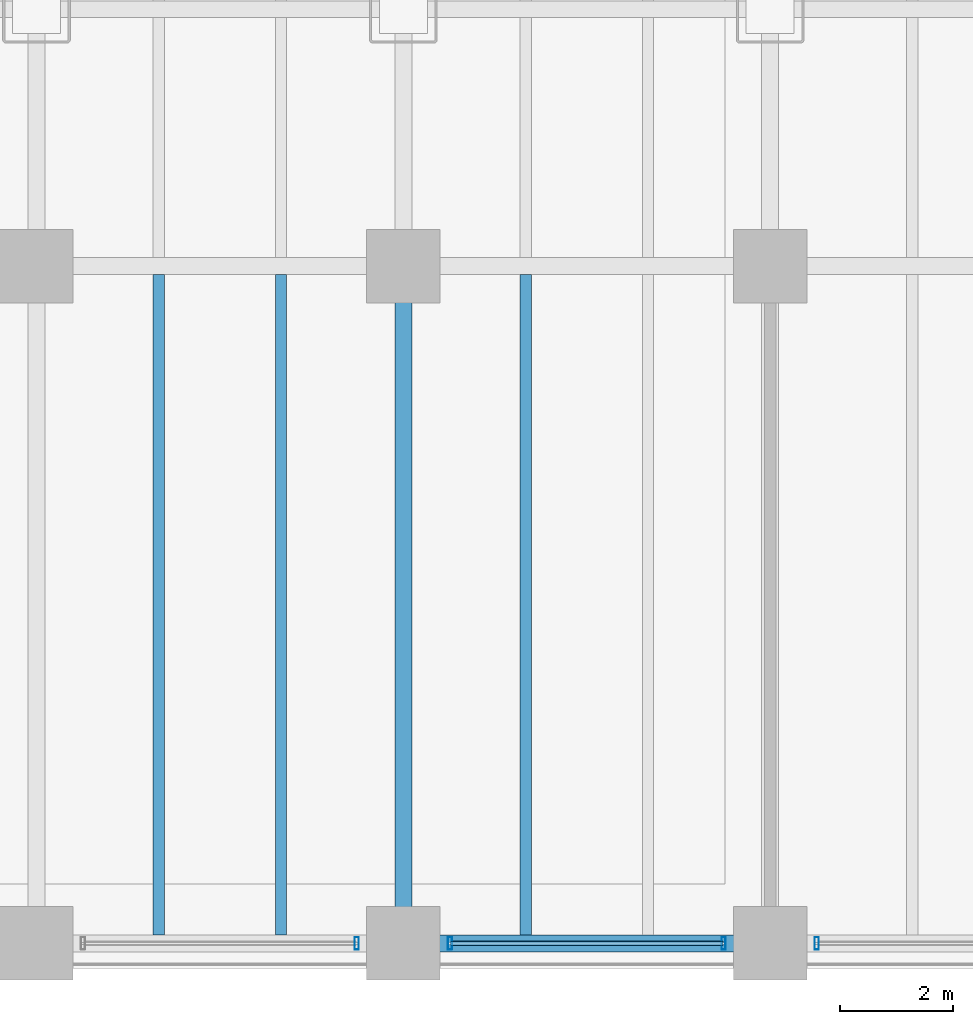
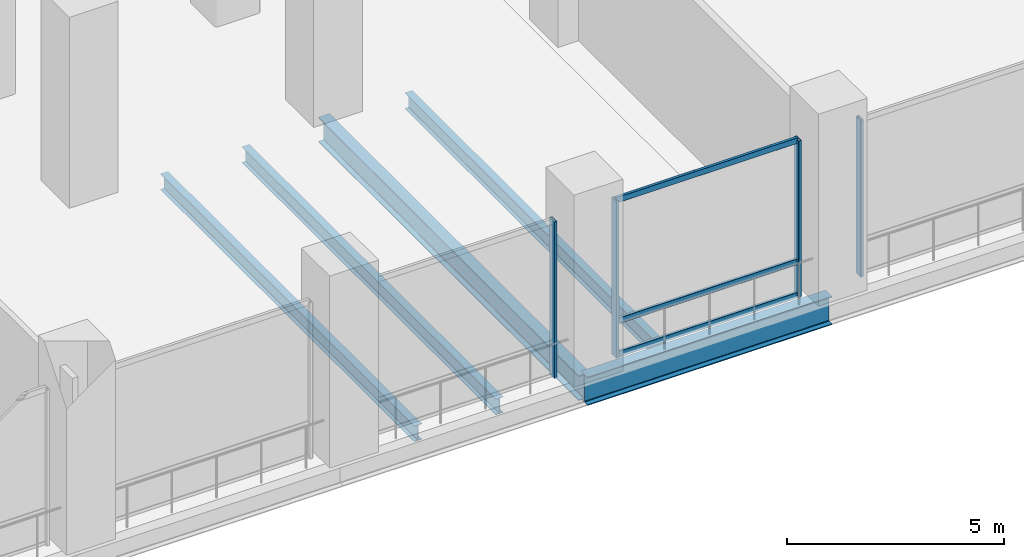
# One storey, part 9 of 31: 7 members, 5 beams, 3 elements without a shape of their own.
"""IFC4 building model written with IfcOpenShell, lengths in metres."""

from ifc_helpers import new_model, si_unit, direction, frame, origin, origin_2d, place, context, subcontext, project, spatial, hollow_rectangle, i_section, extrude, material, material_profile, profile_set, type_object, element, aggregate, save


model = new_model("IFC4")

# Units and contexts
model_context = context("Model", 3, precision=1e-05, world=origin(), true_north=direction((0.0, 1.0)))
body_context = subcontext(model_context, "Body", "Model", "MODEL_VIEW")
ifc_project = project(units=[si_unit("LENGTHUNIT", "METRE"), si_unit("AREAUNIT", "SQUARE_METRE"), si_unit("VOLUMEUNIT", "CUBIC_METRE"), si_unit("PLANEANGLEUNIT", "RADIAN"), si_unit("MASSUNIT", "GRAM", prefix="KILO")], contexts=[model_context])

# Site, building, storey
site_placement = place(None, origin())
site = spatial("IfcSite", under=ifc_project, at=site_placement, CompositionType="ELEMENT")
building_placement = place(site_placement, origin())
building = spatial("IfcBuilding", under=site, at=building_placement, Name="Noeulbin Bourse Tower", CompositionType="ELEMENT")
storey_placement = place(building_placement, frame((0.0, 0.0, 11.199951171875)))
storey = spatial("IfcBuildingStorey", under=building, at=storey_placement, Name="L03", CompositionType="ELEMENT", Elevation=11.199951171875)

# Beams
ifc_material_1 = material(Name="Steel S355", Category="steel")
ifc_material_profile_1 = material_profile(ifc_material_1, i_section(OverallWidth=0.300048828125, OverallDepth=0.699951171875, WebThickness=0.012939453125, FlangeThickness=0.02392578125, FilletRadius=0.02392578125, at=origin_2d()), Name="H-700x300x13x24", Category="LoadBearing")
ifc_profile_set_1 = profile_set([ifc_material_profile_1], Name="Steel S355")
beam_type_1 = type_object("IfcBeamType", Name="BM-GRD-700", PredefinedType="USERDEFINED", material=ifc_profile_set_1)
beam_1_placement = place(storey_placement, frame((37.5, 3.449951171875, -0.599853515625), z_axis=(0.0, 1.0, 0.0), x_axis=(-1.0, 0.0, 0.0)))
element("IfcBeam", 1, at=beam_1_placement, inside=storey, type_object=beam_type_1, Name="Podium Primary Girder NS L03-085", ObjectType="GIRDER", PredefinedType="USERDEFINED", context=body_context, shape_type="SweptSolid", body=[
    extrude(i_section(OverallWidth=0.300048828125, OverallDepth=0.699951171875, WebThickness=0.012939453125, FlangeThickness=0.02392578125, FilletRadius=0.02392578125, at=origin_2d()), origin(), (0.0, 0.0, 1.0), 12.0),
])
ifc_material_profile_2 = material_profile(ifc_material_1, i_section(OverallWidth=0.300048828125, OverallDepth=0.800048828125, WebThickness=0.013916015625, FlangeThickness=0.02587890625, FilletRadius=0.02587890625, at=origin_2d()), Name="H-800x300x14x26", Category="LoadBearing")
ifc_profile_set_2 = profile_set([ifc_material_profile_2], Name="Steel S355")
beam_type_2 = type_object("IfcBeamType", Name="BM-GRD-800", PredefinedType="USERDEFINED", material=ifc_profile_set_2)
beam_2_placement = place(storey_placement, frame((37.5, 3.449951171875, -0.64990234375), z_axis=(1.0, 0.0, 0.0), x_axis=(0.0, 1.0, 0.0)))
element("IfcBeam", 2, at=beam_2_placement, inside=storey, type_object=beam_type_2, Name="Podium Primary Girder EW L03-006", ObjectType="GIRDER", PredefinedType="USERDEFINED", context=body_context, shape_type="SweptSolid", body=[
    extrude(i_section(OverallWidth=0.300048828125, OverallDepth=0.800048828125, WebThickness=0.013916015625, FlangeThickness=0.02587890625, FilletRadius=0.02587890625, at=origin_2d()), origin(), (0.0, 0.0, 1.0), 6.5),
])
ifc_material_profile_3 = material_profile(ifc_material_1, i_section(OverallWidth=0.199951171875, OverallDepth=0.449951171875, WebThickness=0.009033203125, FlangeThickness=0.013916015625, FilletRadius=0.01806640625, at=origin_2d()), Name="H-450x200x9x14", Category="LoadBearing")
ifc_profile_set_3 = profile_set([ifc_material_profile_3], Name="Steel S355")
beam_type_3 = type_object("IfcBeamType", Name="BM-SEC-450", PredefinedType="BEAM", material=ifc_profile_set_3)
for number, where, z_axis, x_axis, name in (
    (3, (33.166748046875, 3.60009765625, -0.474853515625), (0.0, 1.0, 0.0), (-1.0, 0.0, 0.0), "Podium Secondary Beam L03-053"),
    (4, (35.333251953125, 3.60009765625, -0.474853515625), (0.0, 1.0, 0.0), (-1.0, 0.0, 0.0), "Podium Secondary Beam L03-058"),
    (5, (39.666748046875, 3.60009765625, -0.474853515625), (0.0, 1.0, 0.0), (-1.0, 0.0, 0.0), "Podium Secondary Beam L03-063"),
):
    element("IfcBeam", number, at=place(storey_placement, frame(where, z_axis=z_axis, x_axis=x_axis)), inside=storey, type_object=beam_type_3, Name=name, PredefinedType="BEAM", context=body_context, shape_type="SweptSolid", body=[
        extrude(i_section(OverallWidth=0.199951171875, OverallDepth=0.449951171875, WebThickness=0.009033203125, FlangeThickness=0.013916015625, FilletRadius=0.01806640625, at=origin_2d()), origin(), (0.0, 0.0, 1.0), 11.699951171875),
    ])

# Curtain wall, member
ifc_material_2 = material(Name="Laminated Clear Low-E Glass", Category="glass")
curtain_wall_type = type_object("IfcCurtainWallType", Name="CW-SYS-1", PredefinedType="NOTDEFINED", material=ifc_material_2)
curtain_wall_1_placement = place(storey_placement, origin())
curtain_wall_1 = element("IfcCurtainWall", 6, at=curtain_wall_1_placement, inside=storey, type_object=curtain_wall_type, Name="Unitised Curtain Wall CW-L03-POD-S-S4", PredefinedType="NOTDEFINED")
ifc_material_3 = material(Name="Anodised Aluminium 6063-T6", Category="aluminium")
ifc_material_profile_4 = material_profile(ifc_material_3, hollow_rectangle(XDim=0.074951171875, YDim=0.219970703125, WallThickness=0.0048828125, InnerFilletRadius=0.00244140625, OuterFilletRadius=0.0048828125, at=origin_2d()), Name="ALU-MULL-75x220x5", Category="LoadBearing")
ifc_profile_set_4 = profile_set([ifc_material_profile_4], Name="Anodised Aluminium 6063-T6")
member_type_1 = type_object("IfcMemberType", Name="CW-SYS-1-MUL", PredefinedType="MULLION", material=ifc_profile_set_4)
member_1_placement = place(storey_placement, frame((36.675048828125, 3.449951171875, -0.02001953125), z_axis=(0.0, 0.0, 1.0), x_axis=(1.0, 0.0, 0.0)))
member_1 = element("IfcMember", 7, at=member_1_placement, type_object=member_type_1, Name="Curtain Wall Mullion CW-L03-POD-S-S4-M01", PredefinedType="MULLION", context=body_context, shape_type="SweptSolid", body=[
    extrude(hollow_rectangle(XDim=0.074951171875, YDim=0.219970703125, WallThickness=0.0048828125, InnerFilletRadius=0.00244140625, OuterFilletRadius=0.0048828125, at=origin_2d()), origin(), (0.0, 0.0, 1.0), 4.41015625),
])
aggregate(curtain_wall_1, [member_1])

# Curtain wall, members
curtain_wall_2_placement = place(storey_placement, origin())
curtain_wall_2 = element("IfcCurtainWall", 8, at=curtain_wall_2_placement, inside=storey, type_object=curtain_wall_type, Name="Unitised Curtain Wall CW-L03-POD-S-S5", PredefinedType="NOTDEFINED")
member_2_placement = place(storey_placement, frame((38.324951171875, 3.449951171875, -0.02001953125), z_axis=(0.0, 0.0, 1.0), x_axis=(1.0, 0.0, 0.0)))
member_2 = element("IfcMember", 9, at=member_2_placement, type_object=member_type_1, Name="Curtain Wall Mullion CW-L03-POD-S-S5-M00", PredefinedType="MULLION", context=body_context, shape_type="SweptSolid", body=[
    extrude(hollow_rectangle(XDim=0.074951171875, YDim=0.219970703125, WallThickness=0.0048828125, InnerFilletRadius=0.00244140625, OuterFilletRadius=0.0048828125, at=origin_2d()), origin(), (0.0, 0.0, 1.0), 4.41015625),
])
member_3_placement = place(storey_placement, frame((43.175048828125, 3.449951171875, -0.02001953125), z_axis=(0.0, 0.0, 1.0), x_axis=(1.0, 0.0, 0.0)))
member_3 = element("IfcMember", 10, at=member_3_placement, type_object=member_type_1, Name="Curtain Wall Mullion CW-L03-POD-S-S5-M01", PredefinedType="MULLION", context=body_context, shape_type="SweptSolid", body=[
    extrude(hollow_rectangle(XDim=0.074951171875, YDim=0.219970703125, WallThickness=0.0048828125, InnerFilletRadius=0.00244140625, OuterFilletRadius=0.0048828125, at=origin_2d()), origin(), (0.0, 0.0, 1.0), 4.41015625),
])

# Curtain wall, member
curtain_wall_3_placement = place(storey_placement, origin())
curtain_wall_3 = element("IfcCurtainWall", 11, at=curtain_wall_3_placement, inside=storey, type_object=curtain_wall_type, Name="Unitised Curtain Wall CW-L03-POD-S-S6", PredefinedType="NOTDEFINED")
member_4_placement = place(storey_placement, frame((44.824951171875, 3.449951171875, -0.02001953125), z_axis=(0.0, 0.0, 1.0), x_axis=(1.0, 0.0, 0.0)))
member_4 = element("IfcMember", 12, at=member_4_placement, type_object=member_type_1, Name="Curtain Wall Mullion CW-L03-POD-S-S6-M00", PredefinedType="MULLION", context=body_context, shape_type="SweptSolid", body=[
    extrude(hollow_rectangle(XDim=0.074951171875, YDim=0.219970703125, WallThickness=0.0048828125, InnerFilletRadius=0.00244140625, OuterFilletRadius=0.0048828125, at=origin_2d()), origin(), (0.0, 0.0, 1.0), 4.41015625),
])
aggregate(curtain_wall_3, [member_4])

# Member
ifc_material_profile_5 = material_profile(ifc_material_3, hollow_rectangle(XDim=0.074951171875, YDim=0.159912109375, WallThickness=0.0048828125, InnerFilletRadius=0.00244140625, OuterFilletRadius=0.0048828125, at=origin_2d()), Name="ALU-TRAN-75x160x5", Category="LoadBearing")
ifc_profile_set_5 = profile_set([ifc_material_profile_5], Name="Anodised Aluminium 6063-T6")
member_type_2 = type_object("IfcMemberType", Name="CW-SYS-1-TRN", PredefinedType="USERDEFINED", material=ifc_profile_set_5)
member_5_placement = place(storey_placement, frame((38.3349609375, 3.449951171875, 0.010009765625), z_axis=(1.0, 0.0, 0.0), x_axis=(0.0, 1.0, 0.0)))
member_5 = element("IfcMember", 13, at=member_5_placement, type_object=member_type_2, Name="Curtain Wall Transom CW-L03-POD-S-S5-T00", ObjectType="TRANSOM", PredefinedType="USERDEFINED", context=body_context, shape_type="SweptSolid", body=[
    extrude(hollow_rectangle(XDim=0.074951171875, YDim=0.159912109375, WallThickness=0.0048828125, InnerFilletRadius=0.00244140625, OuterFilletRadius=0.0048828125, at=origin_2d()), origin(), (0.0, 0.0, 1.0), 4.830078125),
])

member_6_placement = place(storey_placement, frame((38.3349609375, 3.449951171875, 0.949951171875), z_axis=(1.0, 0.0, 0.0), x_axis=(0.0, 1.0, 0.0)))
member_6 = element("IfcMember", 14, at=member_6_placement, type_object=member_type_2, Name="Curtain Wall Transom CW-L03-POD-S-S5-T01", ObjectType="TRANSOM", PredefinedType="USERDEFINED", context=body_context, shape_type="SweptSolid", body=[
    extrude(hollow_rectangle(XDim=0.074951171875, YDim=0.159912109375, WallThickness=0.0048828125, InnerFilletRadius=0.00244140625, OuterFilletRadius=0.0048828125, at=origin_2d()), origin(), (0.0, 0.0, 1.0), 4.830078125),
])

member_7_placement = place(storey_placement, frame((38.3349609375, 3.449951171875, 4.360107421875), z_axis=(1.0, 0.0, 0.0), x_axis=(0.0, 1.0, 0.0)))
member_7 = element("IfcMember", 15, at=member_7_placement, type_object=member_type_2, Name="Curtain Wall Transom CW-L03-POD-S-S5-T02", ObjectType="TRANSOM", PredefinedType="USERDEFINED", context=body_context, shape_type="SweptSolid", body=[
    extrude(hollow_rectangle(XDim=0.074951171875, YDim=0.159912109375, WallThickness=0.0048828125, InnerFilletRadius=0.00244140625, OuterFilletRadius=0.0048828125, at=origin_2d()), origin(), (0.0, 0.0, 1.0), 4.830078125),
])

aggregate(curtain_wall_2, [member_2, member_3, member_5, member_6, member_7])

save(model, "model.ifc")
